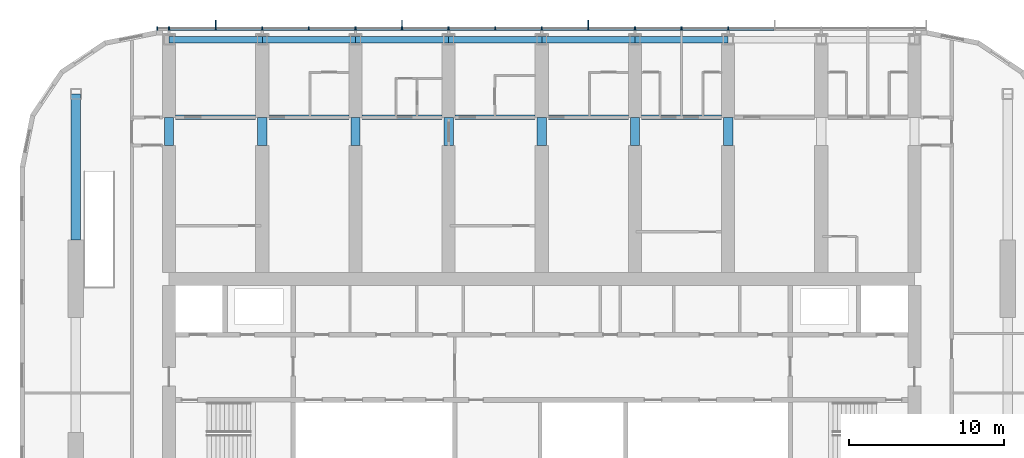
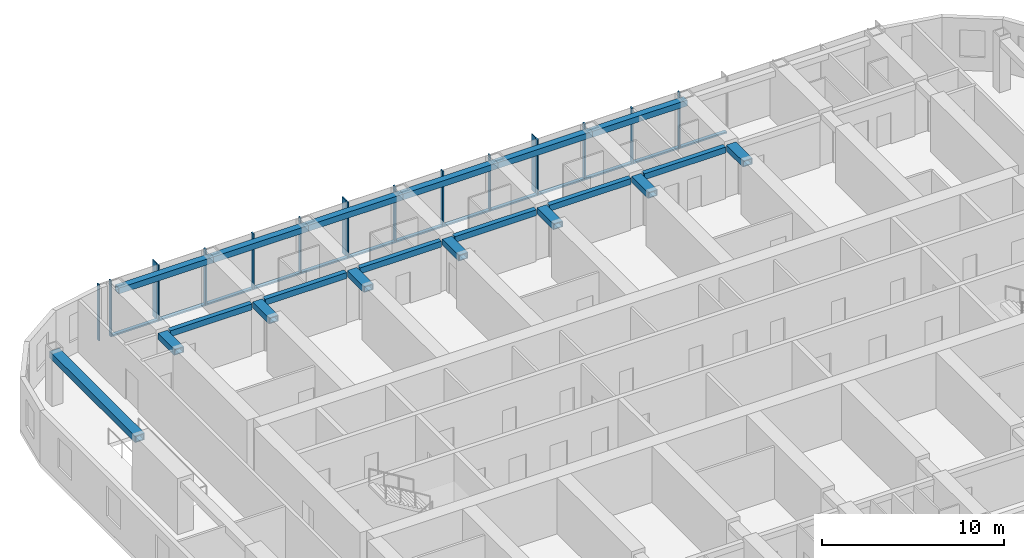
# One storey, part 4 of 22: 30 members, 20 beams, 1 element without a shape of its own.
"""IFC4 building model written with IfcOpenShell, lengths in metres."""

from ifc_helpers import new_model, si_unit, direction, frame, origin, origin_2d, place, context, subcontext, project, spatial, rectangle, hollow_rectangle, extrude, material, material_profile, profile_set, type_object, element, aggregate, save


model = new_model("IFC4")

# Units and contexts
model_context = context("Model", 3, precision=1e-05, world=origin(), true_north=direction((0.0, 1.0)))
body_context = subcontext(model_context, "Body", "Model", "MODEL_VIEW")
ifc_project = project(units=[si_unit("LENGTHUNIT", "METRE"), si_unit("AREAUNIT", "SQUARE_METRE"), si_unit("VOLUMEUNIT", "CUBIC_METRE"), si_unit("PLANEANGLEUNIT", "RADIAN"), si_unit("MASSUNIT", "GRAM", prefix="KILO")], contexts=[model_context])

# Site, building, storey
site_placement = place(None, origin())
site = spatial("IfcSite", under=ifc_project, at=site_placement, CompositionType="ELEMENT")
building_placement = place(site_placement, origin())
building = spatial("IfcBuilding", under=site, at=building_placement, Name="Orbita Commons", CompositionType="ELEMENT")
storey_placement = place(building_placement, frame((0.0, 0.0, 167.35009765625)))
storey = spatial("IfcBuildingStorey", under=building, at=storey_placement, Name="L41", CompositionType="ELEMENT", Elevation=167.35009765625)

# Curtain wall, members
ifc_material_1 = material(Name="Anodised aluminium frame, pale silver", Category="aluminium")
curtain_wall_type = type_object("IfcCurtainWallType", Name="Unitised curtain wall CW-U, full-height vision", PredefinedType="NOTDEFINED", material=ifc_material_1)
curtain_wall_placement = place(storey_placement, origin())
curtain_wall = element("IfcCurtainWall", 1, at=curtain_wall_placement, inside=storey, type_object=curtain_wall_type, Name="Curtain wall north L41", PredefinedType="NOTDEFINED")
ifc_material_2 = material(Name="Anodised aluminium, pale silver", Category="aluminium")
ifc_material_profile_1 = material_profile(ifc_material_2, rectangle(XDim=0.080078125, YDim=0.219970703125, at=origin_2d()), Name="AL 80x220")
ifc_profile_set_1 = profile_set([ifc_material_profile_1], Name="Anodised aluminium, pale silver")
member_type_1 = type_object("IfcMemberType", Name="Curtain wall mullion 80x220", PredefinedType="MULLION", material=ifc_profile_set_1)
member_1_placement = place(storey_placement, frame((54.0, 54.31005859375, -0.25), z_axis=(0.0, 0.0, 1.0), x_axis=(-1.0, 0.0, 0.0)))
member_1 = element("IfcMember", 2, at=member_1_placement, type_object=member_type_1, Name="Mullion 6 CW-L41-N", PredefinedType="MULLION", context=body_context, shape_type="SweptSolid", body=[
    extrude(rectangle(XDim=0.080078125, YDim=0.219970703125, at=origin_2d()), origin(), (0.0, 0.0, 1.0), 3.75),
])
member_2_placement = place(storey_placement, frame((51.0, 54.31005859375, -0.25), z_axis=(0.0, 0.0, 1.0), x_axis=(-1.0, 0.0, 0.0)))
member_2 = element("IfcMember", 3, at=member_2_placement, type_object=member_type_1, Name="Mullion 7 CW-L41-N", PredefinedType="MULLION", context=body_context, shape_type="SweptSolid", body=[
    extrude(rectangle(XDim=0.080078125, YDim=0.219970703125, at=origin_2d()), origin(), (0.0, 0.0, 1.0), 3.75),
])
member_3_placement = place(storey_placement, frame((48.0, 54.31005859375, -0.25), z_axis=(0.0, 0.0, 1.0), x_axis=(-1.0, 0.0, 0.0)))
member_3 = element("IfcMember", 4, at=member_3_placement, type_object=member_type_1, Name="Mullion 8 CW-L41-N", PredefinedType="MULLION", context=body_context, shape_type="SweptSolid", body=[
    extrude(rectangle(XDim=0.080078125, YDim=0.219970703125, at=origin_2d()), origin(), (0.0, 0.0, 1.0), 3.75),
])
member_4_placement = place(storey_placement, frame((45.0, 54.31005859375, -0.25), z_axis=(0.0, 0.0, 1.0), x_axis=(-1.0, 0.0, 0.0)))
member_4 = element("IfcMember", 5, at=member_4_placement, type_object=member_type_1, Name="Mullion 9 CW-L41-N", PredefinedType="MULLION", context=body_context, shape_type="SweptSolid", body=[
    extrude(rectangle(XDim=0.080078125, YDim=0.219970703125, at=origin_2d()), origin(), (0.0, 0.0, 1.0), 3.75),
])
member_5_placement = place(storey_placement, frame((42.0, 54.31005859375, -0.25), z_axis=(0.0, 0.0, 1.0), x_axis=(-1.0, 0.0, 0.0)))
member_5 = element("IfcMember", 6, at=member_5_placement, type_object=member_type_1, Name="Mullion 10 CW-L41-N", PredefinedType="MULLION", context=body_context, shape_type="SweptSolid", body=[
    extrude(rectangle(XDim=0.080078125, YDim=0.219970703125, at=origin_2d()), origin(), (0.0, 0.0, 1.0), 3.75),
])
member_6_placement = place(storey_placement, frame((39.0, 54.31005859375, -0.25), z_axis=(0.0, 0.0, 1.0), x_axis=(-1.0, 0.0, 0.0)))
member_6 = element("IfcMember", 7, at=member_6_placement, type_object=member_type_1, Name="Mullion 11 CW-L41-N", PredefinedType="MULLION", context=body_context, shape_type="SweptSolid", body=[
    extrude(rectangle(XDim=0.080078125, YDim=0.219970703125, at=origin_2d()), origin(), (0.0, 0.0, 1.0), 3.75),
])
member_7_placement = place(storey_placement, frame((36.0, 54.31005859375, -0.25), z_axis=(0.0, 0.0, 1.0), x_axis=(-1.0, 0.0, 0.0)))
member_7 = element("IfcMember", 8, at=member_7_placement, type_object=member_type_1, Name="Mullion 12 CW-L41-N", PredefinedType="MULLION", context=body_context, shape_type="SweptSolid", body=[
    extrude(rectangle(XDim=0.080078125, YDim=0.219970703125, at=origin_2d()), origin(), (0.0, 0.0, 1.0), 3.75),
])
member_8_placement = place(storey_placement, frame((33.0, 54.31005859375, -0.25), z_axis=(0.0, 0.0, 1.0), x_axis=(-1.0, 0.0, 0.0)))
member_8 = element("IfcMember", 9, at=member_8_placement, type_object=member_type_1, Name="Mullion 13 CW-L41-N", PredefinedType="MULLION", context=body_context, shape_type="SweptSolid", body=[
    extrude(rectangle(XDim=0.080078125, YDim=0.219970703125, at=origin_2d()), origin(), (0.0, 0.0, 1.0), 3.75),
])
member_9_placement = place(storey_placement, frame((30.0, 54.31005859375, -0.25), z_axis=(0.0, 0.0, 1.0), x_axis=(-1.0, 0.0, 0.0)))
member_9 = element("IfcMember", 10, at=member_9_placement, type_object=member_type_1, Name="Mullion 14 CW-L41-N", PredefinedType="MULLION", context=body_context, shape_type="SweptSolid", body=[
    extrude(rectangle(XDim=0.080078125, YDim=0.219970703125, at=origin_2d()), origin(), (0.0, 0.0, 1.0), 3.75),
])
member_10_placement = place(storey_placement, frame((27.0, 54.31005859375, -0.25), z_axis=(0.0, 0.0, 1.0), x_axis=(-1.0, 0.0, 0.0)))
member_10 = element("IfcMember", 11, at=member_10_placement, type_object=member_type_1, Name="Mullion 15 CW-L41-N", PredefinedType="MULLION", context=body_context, shape_type="SweptSolid", body=[
    extrude(rectangle(XDim=0.080078125, YDim=0.219970703125, at=origin_2d()), origin(), (0.0, 0.0, 1.0), 3.75),
])
member_11_placement = place(storey_placement, frame((24.0, 54.31005859375, -0.25), z_axis=(0.0, 0.0, 1.0), x_axis=(-1.0, 0.0, 0.0)))
member_11 = element("IfcMember", 12, at=member_11_placement, type_object=member_type_1, Name="Mullion 16 CW-L41-N", PredefinedType="MULLION", context=body_context, shape_type="SweptSolid", body=[
    extrude(rectangle(XDim=0.080078125, YDim=0.219970703125, at=origin_2d()), origin(), (0.0, 0.0, 1.0), 3.75),
])
member_12_placement = place(storey_placement, frame((21.0, 54.31005859375, -0.25), z_axis=(0.0, 0.0, 1.0), x_axis=(-1.0, 0.0, 0.0)))
member_12 = element("IfcMember", 13, at=member_12_placement, type_object=member_type_1, Name="Mullion 17 CW-L41-N", PredefinedType="MULLION", context=body_context, shape_type="SweptSolid", body=[
    extrude(rectangle(XDim=0.080078125, YDim=0.219970703125, at=origin_2d()), origin(), (0.0, 0.0, 1.0), 3.75),
])
member_13_placement = place(storey_placement, frame((18.0, 54.31005859375, -0.25), z_axis=(0.0, 0.0, 1.0), x_axis=(-1.0, 0.0, 0.0)))
member_13 = element("IfcMember", 14, at=member_13_placement, type_object=member_type_1, Name="Mullion 18 CW-L41-N", PredefinedType="MULLION", context=body_context, shape_type="SweptSolid", body=[
    extrude(rectangle(XDim=0.080078125, YDim=0.219970703125, at=origin_2d()), origin(), (0.0, 0.0, 1.0), 3.75),
])
member_14_placement = place(storey_placement, frame((17.239990234375, 54.31005859375, -0.25), z_axis=(0.0, 0.0, 1.0), x_axis=(-1.0, 0.0, 0.0)))
member_14 = element("IfcMember", 15, at=member_14_placement, type_object=member_type_1, Name="Mullion 19 CW-L41-N", PredefinedType="MULLION", context=body_context, shape_type="SweptSolid", body=[
    extrude(rectangle(XDim=0.080078125, YDim=0.219970703125, at=origin_2d()), origin(), (0.0, 0.0, 1.0), 3.75),
])
ifc_material_3 = material(Name="Anodised aluminium, pale silver", Category="aluminium")
ifc_material_profile_2 = material_profile(ifc_material_3, rectangle(XDim=0.219970703125, YDim=0.10009765625, at=origin_2d()), Name="AL 220x100")
ifc_profile_set_2 = profile_set([ifc_material_profile_2], Name="Anodised aluminium, pale silver")
member_type_2 = type_object("IfcMemberType", Name="Curtain wall stack transom 220x100", PredefinedType="USERDEFINED", material=ifc_profile_set_2)
member_15_placement = place(storey_placement, frame((56.9599609375, 54.31005859375, -0.2001953125), z_axis=(-1.0, 0.0, 0.0), x_axis=(0.0, -1.0, 0.0)))
member_15 = element("IfcMember", 16, at=member_15_placement, type_object=member_type_2, Name="Transom 5.1 CW-L41-N", ObjectType="TRANSOM", PredefinedType="USERDEFINED", context=body_context, shape_type="SweptSolid", body=[
    extrude(rectangle(XDim=0.219970703125, YDim=0.10009765625, at=origin_2d()), origin(), (0.0, 0.0, 1.0), 2.919921875),
])
member_16_placement = place(storey_placement, frame((53.9599609375, 54.31005859375, -0.2001953125), z_axis=(-1.0, 0.0, 0.0), x_axis=(0.0, -1.0, 0.0)))
member_16 = element("IfcMember", 17, at=member_16_placement, type_object=member_type_2, Name="Transom 6.1 CW-L41-N", ObjectType="TRANSOM", PredefinedType="USERDEFINED", context=body_context, shape_type="SweptSolid", body=[
    extrude(rectangle(XDim=0.219970703125, YDim=0.10009765625, at=origin_2d()), origin(), (0.0, 0.0, 1.0), 2.919921875),
])
member_17_placement = place(storey_placement, frame((50.9599609375, 54.31005859375, -0.2001953125), z_axis=(-1.0, 0.0, 0.0), x_axis=(0.0, -1.0, 0.0)))
member_17 = element("IfcMember", 18, at=member_17_placement, type_object=member_type_2, Name="Transom 7.1 CW-L41-N", ObjectType="TRANSOM", PredefinedType="USERDEFINED", context=body_context, shape_type="SweptSolid", body=[
    extrude(rectangle(XDim=0.219970703125, YDim=0.10009765625, at=origin_2d()), origin(), (0.0, 0.0, 1.0), 2.919921875),
])
member_18_placement = place(storey_placement, frame((47.9599609375, 54.31005859375, -0.2001953125), z_axis=(-1.0, 0.0, 0.0), x_axis=(0.0, -1.0, 0.0)))
member_18 = element("IfcMember", 19, at=member_18_placement, type_object=member_type_2, Name="Transom 8.1 CW-L41-N", ObjectType="TRANSOM", PredefinedType="USERDEFINED", context=body_context, shape_type="SweptSolid", body=[
    extrude(rectangle(XDim=0.219970703125, YDim=0.10009765625, at=origin_2d()), origin(), (0.0, 0.0, 1.0), 2.919921875),
])
member_19_placement = place(storey_placement, frame((44.9599609375, 54.31005859375, -0.2001953125), z_axis=(-1.0, 0.0, 0.0), x_axis=(0.0, -1.0, 0.0)))
member_19 = element("IfcMember", 20, at=member_19_placement, type_object=member_type_2, Name="Transom 9.1 CW-L41-N", ObjectType="TRANSOM", PredefinedType="USERDEFINED", context=body_context, shape_type="SweptSolid", body=[
    extrude(rectangle(XDim=0.219970703125, YDim=0.10009765625, at=origin_2d()), origin(), (0.0, 0.0, 1.0), 2.919921875),
])
member_20_placement = place(storey_placement, frame((41.9599609375, 54.31005859375, -0.2001953125), z_axis=(-1.0, 0.0, 0.0), x_axis=(0.0, -1.0, 0.0)))
member_20 = element("IfcMember", 21, at=member_20_placement, type_object=member_type_2, Name="Transom 10.1 CW-L41-N", ObjectType="TRANSOM", PredefinedType="USERDEFINED", context=body_context, shape_type="SweptSolid", body=[
    extrude(rectangle(XDim=0.219970703125, YDim=0.10009765625, at=origin_2d()), origin(), (0.0, 0.0, 1.0), 2.919921875),
])
member_21_placement = place(storey_placement, frame((38.9599609375, 54.31005859375, -0.2001953125), z_axis=(-1.0, 0.0, 0.0), x_axis=(0.0, -1.0, 0.0)))
member_21 = element("IfcMember", 22, at=member_21_placement, type_object=member_type_2, Name="Transom 11.1 CW-L41-N", ObjectType="TRANSOM", PredefinedType="USERDEFINED", context=body_context, shape_type="SweptSolid", body=[
    extrude(rectangle(XDim=0.219970703125, YDim=0.10009765625, at=origin_2d()), origin(), (0.0, 0.0, 1.0), 2.919921875),
])
member_22_placement = place(storey_placement, frame((35.9599609375, 54.31005859375, -0.2001953125), z_axis=(-1.0, 0.0, 0.0), x_axis=(0.0, -1.0, 0.0)))
member_22 = element("IfcMember", 23, at=member_22_placement, type_object=member_type_2, Name="Transom 12.1 CW-L41-N", ObjectType="TRANSOM", PredefinedType="USERDEFINED", context=body_context, shape_type="SweptSolid", body=[
    extrude(rectangle(XDim=0.219970703125, YDim=0.10009765625, at=origin_2d()), origin(), (0.0, 0.0, 1.0), 2.919921875),
])
member_23_placement = place(storey_placement, frame((32.9599609375, 54.31005859375, -0.2001953125), z_axis=(-1.0, 0.0, 0.0), x_axis=(0.0, -1.0, 0.0)))
member_23 = element("IfcMember", 24, at=member_23_placement, type_object=member_type_2, Name="Transom 13.1 CW-L41-N", ObjectType="TRANSOM", PredefinedType="USERDEFINED", context=body_context, shape_type="SweptSolid", body=[
    extrude(rectangle(XDim=0.219970703125, YDim=0.10009765625, at=origin_2d()), origin(), (0.0, 0.0, 1.0), 2.919921875),
])
member_24_placement = place(storey_placement, frame((29.9599609375, 54.31005859375, -0.2001953125), z_axis=(-1.0, 0.0, 0.0), x_axis=(0.0, -1.0, 0.0)))
member_24 = element("IfcMember", 25, at=member_24_placement, type_object=member_type_2, Name="Transom 14.1 CW-L41-N", ObjectType="TRANSOM", PredefinedType="USERDEFINED", context=body_context, shape_type="SweptSolid", body=[
    extrude(rectangle(XDim=0.219970703125, YDim=0.10009765625, at=origin_2d()), origin(), (0.0, 0.0, 1.0), 2.919921875),
])
member_25_placement = place(storey_placement, frame((26.9599609375, 54.31005859375, -0.2001953125), z_axis=(-1.0, 0.0, 0.0), x_axis=(0.0, -1.0, 0.0)))
member_25 = element("IfcMember", 26, at=member_25_placement, type_object=member_type_2, Name="Transom 15.1 CW-L41-N", ObjectType="TRANSOM", PredefinedType="USERDEFINED", context=body_context, shape_type="SweptSolid", body=[
    extrude(rectangle(XDim=0.219970703125, YDim=0.10009765625, at=origin_2d()), origin(), (0.0, 0.0, 1.0), 2.919921875),
])
member_26_placement = place(storey_placement, frame((23.9599609375, 54.31005859375, -0.2001953125), z_axis=(-1.0, 0.0, 0.0), x_axis=(0.0, -1.0, 0.0)))
member_26 = element("IfcMember", 27, at=member_26_placement, type_object=member_type_2, Name="Transom 16.1 CW-L41-N", ObjectType="TRANSOM", PredefinedType="USERDEFINED", context=body_context, shape_type="SweptSolid", body=[
    extrude(rectangle(XDim=0.219970703125, YDim=0.10009765625, at=origin_2d()), origin(), (0.0, 0.0, 1.0), 2.919921875),
])
member_27_placement = place(storey_placement, frame((20.9599609375, 54.31005859375, -0.2001953125), z_axis=(-1.0, 0.0, 0.0), x_axis=(0.0, -1.0, 0.0)))
member_27 = element("IfcMember", 28, at=member_27_placement, type_object=member_type_2, Name="Transom 17.1 CW-L41-N", ObjectType="TRANSOM", PredefinedType="USERDEFINED", context=body_context, shape_type="SweptSolid", body=[
    extrude(rectangle(XDim=0.219970703125, YDim=0.10009765625, at=origin_2d()), origin(), (0.0, 0.0, 1.0), 2.919921875),
])

# Beams
ifc_material_4 = material(Name="Steel ASTM A572 Gr 50 welded plate", Category="steel")
ifc_material_profile_3 = material_profile(ifc_material_4, hollow_rectangle(XDim=0.300048828125, YDim=0.39990234375, WallThickness=0.0400390625, at=origin_2d()), Name="BOX 400x300x40")
ifc_profile_set_3 = profile_set([ifc_material_profile_3], Name="Steel ASTM A572 Gr 50 welded plate")
beam_type_1 = type_object("IfcBeamType", Name="Steel corridor link BOX 400x300x40", PredefinedType="BEAM", material=ifc_profile_set_3)
for number, where, z_axis, x_axis, name in (
    (29, (18.425048828125, 48.60009765625, 3.2998046875), (1.0, 0.0, 0.0), (0.0, 1.0, 0.0), "Corridor beam NB 4-5 L41"),
    (30, (24.425048828125, 48.60009765625, 3.2998046875), (1.0, 0.0, 0.0), (0.0, 1.0, 0.0), "Corridor beam NB 5-6 L41"),
    (31, (30.425048828125, 48.60009765625, 3.2998046875), (1.0, 0.0, 0.0), (0.0, 1.0, 0.0), "Corridor beam NB 6-7 L41"),
    (32, (36.425048828125, 48.60009765625, 3.2998046875), (1.0, 0.0, 0.0), (0.0, 1.0, 0.0), "Corridor beam NB 7-8 L41"),
    (33, (42.425048828125, 48.60009765625, 3.2998046875), (1.0, 0.0, 0.0), (0.0, 1.0, 0.0), "Corridor beam NB 8-9 L41"),
    (34, (48.425048828125, 48.60009765625, 3.2998046875), (1.0, 0.0, 0.0), (0.0, 1.0, 0.0), "Corridor beam NB 9-10 L41"),
):
    element("IfcBeam", number, at=place(storey_placement, frame(where, z_axis=z_axis, x_axis=x_axis)), inside=storey, type_object=beam_type_1, Name=name, PredefinedType="BEAM", context=body_context, shape_type="SweptSolid", body=[
        extrude(hollow_rectangle(XDim=0.300048828125, YDim=0.39990234375, WallThickness=0.0400390625, at=origin_2d()), origin(), (0.0, 0.0, 1.0), 5.14990234375),
    ])
ifc_material_5 = material(Name="Steel ASTM A572 Gr 50 welded plate", Category="steel")
ifc_material_profile_4 = material_profile(ifc_material_5, hollow_rectangle(XDim=0.60009765625, YDim=0.39990234375, WallThickness=0.050048828125, at=origin_2d()), Name="BOX 400x600x50")
ifc_profile_set_4 = profile_set([ifc_material_profile_4], Name="Steel ASTM A572 Gr 50 welded plate")
beam_type_2 = type_object("IfcBeamType", Name="Steel coupling link BOX 400x600x50", PredefinedType="LINTEL", material=ifc_profile_set_4)
for number, where, z_axis, x_axis, name in (
    (35, (18.0, 46.800048828125, 3.2998046875), (0.0, 1.0, 0.0), (-1.0, 0.0, 0.0), "Coupling beam 4 north L41"),
    (36, (24.0, 46.800048828125, 3.2998046875), (0.0, 1.0, 0.0), (-1.0, 0.0, 0.0), "Coupling beam 5 north L41"),
    (37, (30.0, 46.800048828125, 3.2998046875), (0.0, 1.0, 0.0), (-1.0, 0.0, 0.0), "Coupling beam 6 north L41"),
    (38, (36.0, 46.800048828125, 3.2998046875), (0.0, 1.0, 0.0), (-1.0, 0.0, 0.0), "Coupling beam 7 north L41"),
    (39, (42.0, 46.800048828125, 3.2998046875), (0.0, 1.0, 0.0), (-1.0, 0.0, 0.0), "Coupling beam 8 north L41"),
    (40, (48.0, 46.800048828125, 3.2998046875), (0.0, 1.0, 0.0), (-1.0, 0.0, 0.0), "Coupling beam 9 north L41"),
    (41, (54.0, 46.800048828125, 3.2998046875), (0.0, 1.0, 0.0), (-1.0, 0.0, 0.0), "Coupling beam 10 north L41"),
):
    element("IfcBeam", number, at=place(storey_placement, frame(where, z_axis=z_axis, x_axis=x_axis)), inside=storey, type_object=beam_type_2, Name=name, PredefinedType="LINTEL", context=body_context, shape_type="SweptSolid", body=[
        extrude(hollow_rectangle(XDim=0.60009765625, YDim=0.39990234375, WallThickness=0.050048828125, at=origin_2d()), origin(), (0.0, 0.0, 1.0), 1.800048828125),
    ])
ifc_material_6 = material(Name="Steel ASTM A572 Gr 50 welded plate", Category="steel")
ifc_material_profile_5 = material_profile(ifc_material_6, hollow_rectangle(XDim=0.60009765625, YDim=0.449951171875, WallThickness=0.06005859375, at=origin_2d()), Name="BOX 450x600x60")
ifc_profile_set_5 = profile_set([ifc_material_profile_5], Name="Steel ASTM A572 Gr 50 welded plate")
beam_type_3 = type_object("IfcBeamType", Name="Steel end frame link BOX 450x600x60", PredefinedType="BEAM", material=ifc_profile_set_5)
beam_placement = place(storey_placement, frame((12.0, 40.699951171875, 3.27490234375), z_axis=(0.0, 1.0, 0.0), x_axis=(-1.0, 0.0, 0.0)))
element("IfcBeam", 42, at=beam_placement, inside=storey, type_object=beam_type_3, Name="End frame beam 3 D-E L41", PredefinedType="BEAM", context=body_context, shape_type="SweptSolid", body=[
    extrude(hollow_rectangle(XDim=0.60009765625, YDim=0.449951171875, WallThickness=0.06005859375, at=origin_2d()), origin(), (0.0, 0.0, 1.0), 9.400146484375),
])
ifc_material_7 = material(Name="Steel ASTM A572 Gr 50 welded plate", Category="steel")
ifc_material_profile_6 = material_profile(ifc_material_7, hollow_rectangle(XDim=0.39990234375, YDim=0.39990234375, WallThickness=0.0400390625, at=origin_2d()), Name="BOX 400x400x40")
ifc_profile_set_6 = profile_set([ifc_material_profile_6], Name="Steel ASTM A572 Gr 50 welded plate")
beam_type_4 = type_object("IfcBeamType", Name="Steel spandrel BOX 400x400x40", PredefinedType="SPANDREL", material=ifc_profile_set_6)
for number, where, z_axis, x_axis, name in (
    (43, (18.0, 53.60009765625, 3.2998046875), (1.0, 0.0, 0.0), (0.0, 1.0, 0.0), "Spandrel beam E 4-5 L41"),
    (44, (24.0, 53.60009765625, 3.2998046875), (1.0, 0.0, 0.0), (0.0, 1.0, 0.0), "Spandrel beam E 5-6 L41"),
    (45, (30.0, 53.60009765625, 3.2998046875), (1.0, 0.0, 0.0), (0.0, 1.0, 0.0), "Spandrel beam E 6-7 L41"),
    (46, (36.0, 53.60009765625, 3.2998046875), (1.0, 0.0, 0.0), (0.0, 1.0, 0.0), "Spandrel beam E 7-8 L41"),
    (47, (42.0, 53.60009765625, 3.2998046875), (1.0, 0.0, 0.0), (0.0, 1.0, 0.0), "Spandrel beam E 8-9 L41"),
    (48, (48.0, 53.60009765625, 3.2998046875), (1.0, 0.0, 0.0), (0.0, 1.0, 0.0), "Spandrel beam E 9-10 L41"),
):
    element("IfcBeam", number, at=place(storey_placement, frame(where, z_axis=z_axis, x_axis=x_axis)), inside=storey, type_object=beam_type_4, Name=name, PredefinedType="SPANDREL", context=body_context, shape_type="SweptSolid", body=[
        extrude(hollow_rectangle(XDim=0.39990234375, YDim=0.39990234375, WallThickness=0.0400390625, at=origin_2d()), origin(), (0.0, 0.0, 1.0), 6.0),
    ])

# Member
ifc_material_8 = material(Name="Anodised aluminium, pale silver", Category="aluminium")
ifc_material_profile_7 = material_profile(ifc_material_8, rectangle(XDim=0.06005859375, YDim=0.449951171875, at=origin_2d()), Name="FIN 60x450")
ifc_profile_set_7 = profile_set([ifc_material_profile_7], Name="Anodised aluminium, pale silver")
member_type_3 = type_object("IfcMemberType", Name="Vertical fin 60x450 pale aluminium", PredefinedType="USERDEFINED", material=ifc_profile_set_7)
member_28_placement = place(storey_placement, frame((45.0, 54.64501953125, -0.25), z_axis=(0.0, 0.0, 1.0), x_axis=(-1.0, 0.0, 0.0)))
member_28 = element("IfcMember", 49, at=member_28_placement, type_object=member_type_3, Name="Fin 9 CW-L41-N", ObjectType="FIN", PredefinedType="USERDEFINED", context=body_context, shape_type="SweptSolid", body=[
    extrude(rectangle(XDim=0.06005859375, YDim=0.449951171875, at=origin_2d()), origin(), (0.0, 0.0, 1.0), 3.75),
])

member_29_placement = place(storey_placement, frame((33.0, 54.64501953125, -0.25), z_axis=(0.0, 0.0, 1.0), x_axis=(-1.0, 0.0, 0.0)))
member_29 = element("IfcMember", 50, at=member_29_placement, type_object=member_type_3, Name="Fin 13 CW-L41-N", ObjectType="FIN", PredefinedType="USERDEFINED", context=body_context, shape_type="SweptSolid", body=[
    extrude(rectangle(XDim=0.06005859375, YDim=0.449951171875, at=origin_2d()), origin(), (0.0, 0.0, 1.0), 3.75),
])

member_30_placement = place(storey_placement, frame((21.0, 54.64501953125, -0.25), z_axis=(0.0, 0.0, 1.0), x_axis=(-1.0, 0.0, 0.0)))
member_30 = element("IfcMember", 51, at=member_30_placement, type_object=member_type_3, Name="Fin 17 CW-L41-N", ObjectType="FIN", PredefinedType="USERDEFINED", context=body_context, shape_type="SweptSolid", body=[
    extrude(rectangle(XDim=0.06005859375, YDim=0.449951171875, at=origin_2d()), origin(), (0.0, 0.0, 1.0), 3.75),
])

aggregate(curtain_wall, [member_1, member_2, member_3, member_4, member_28, member_5, member_6, member_7, member_8, member_29, member_9, member_10, member_11, member_12, member_30, member_13, member_14, member_15, member_16, member_17, member_18, member_19, member_20, member_21, member_22, member_23, member_24, member_25, member_26, member_27])

save(model, "model.ifc")
